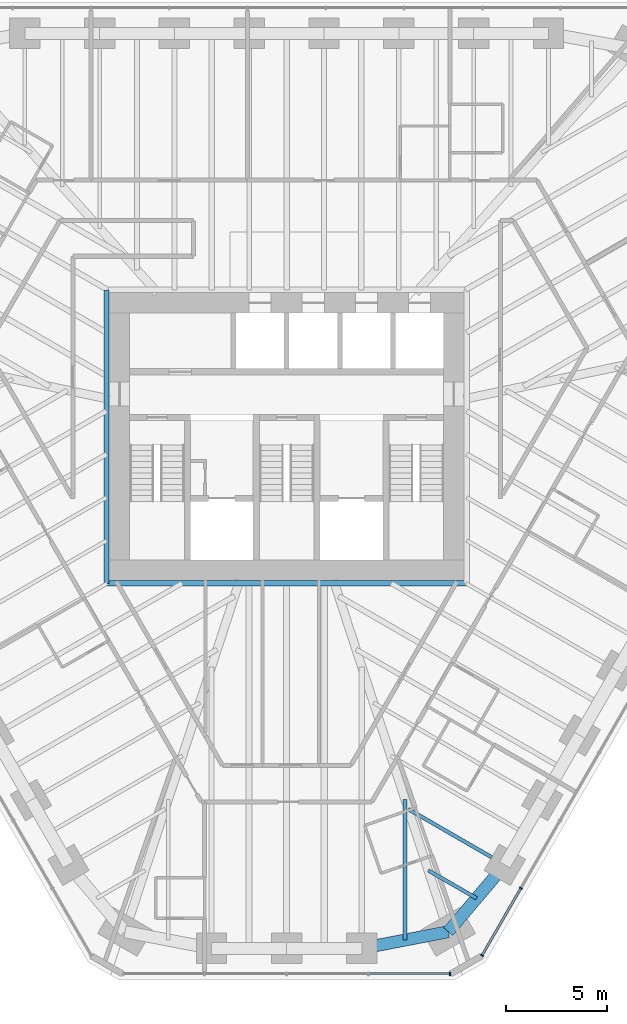
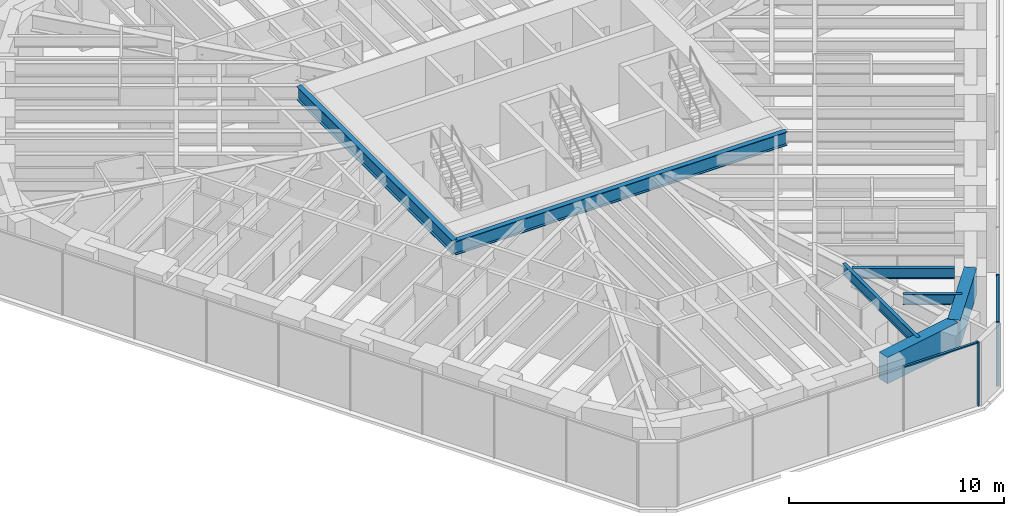
# One storey, part 4 of 16: 7 beams, 5 members, 2 elements without a shape of their own.
"""IFC4 building model written with IfcOpenShell, lengths in metres."""

import ifcopenshell
import ifcopenshell.guid

model = None  # the IFC model being written
_history = None  # IfcOwnerHistory: only IFC2X3 demands one
_inside = {}  # id of a spatial element -> (the spatial element, [elements in it])
_under = {}  # id of a project, library or spatial element -> (it, [spatial elements below it])
_declared = {}  # id of a project -> (the project, [libraries it declares])
_typed = {}  # id of a type object -> (the type object, [elements of that type])
_made_of = {}  # id of a material, layer set ... -> (it, [elements and type objects made of it])


def new_model(schema):
    """Start an empty IFC model of exactly this schema.

    Asked for "IFC4X3", IfcOpenShell would pick the latest addendum, in which some entities
    have other attributes; the version numbers below select the first issue.
    IFC2X3 requires an IfcOwnerHistory on every rooted entity: one is made here for all.
    """
    global model, _history
    if schema == "IFC4X3":
        model = ifcopenshell.file(schema_version=(4, 3, 0, 0))
    else:
        model = ifcopenshell.file(schema=schema)
    _inside.clear()
    _under.clear()
    _declared.clear()
    _typed.clear()
    _made_of.clear()
    _history = None
    if model.schema == "IFC2X3":
        org = make("IfcOrganization", Name="unknown")
        user = make(
            "IfcPersonAndOrganization",
            ThePerson=make("IfcPerson", FamilyName="unknown"),
            TheOrganization=org,
        )
        app = make(
            "IfcApplication",
            ApplicationDeveloper=org,
            Version="unknown",
            ApplicationFullName="unknown",
            ApplicationIdentifier="unknown",
        )
        _history = make(
            "IfcOwnerHistory",
            OwningUser=user,
            OwningApplication=app,
            ChangeAction="ADDED",
            CreationDate=0,
        )
    return model


def make(cls, **values):
    """One entity of the class cls with the attributes given. An attribute that is None is left unset."""
    return model.create_entity(
        cls, **{name: value for name, value in values.items() if value is not None}
    )


def rooted(cls, **values):
    """An entity with a GlobalId (a new one), such as an element, a storey or a relation."""
    return make(cls, GlobalId=ifcopenshell.guid.new(), OwnerHistory=_history, **values)


def si_unit(unit_type, name, prefix=None):
    """IfcSIUnit, for example si_unit("LENGTHUNIT", "METRE", prefix="MILLI")."""
    return make("IfcSIUnit", UnitType=unit_type, Prefix=prefix, Name=name)


def assignment(units):
    """IfcUnitAssignment: the units of a project."""
    return None if units is None else make("IfcUnitAssignment", Units=units)


def point(xyz):
    """IfcCartesianPoint."""
    return None if xyz is None else make("IfcCartesianPoint", Coordinates=xyz)


def direction(xyz):
    """IfcDirection."""
    return None if xyz is None else make("IfcDirection", DirectionRatios=xyz)


def frame(location, z_axis=None, x_axis=None):
    """IfcAxis2Placement3D, a coordinate frame: its origin and axes. An axis left out is left unset."""
    return make(
        "IfcAxis2Placement3D",
        Location=point(location),
        Axis=direction(z_axis),
        RefDirection=direction(x_axis),
    )


def frame_2d(location, x_axis=None):
    """IfcAxis2Placement2D, a coordinate frame in the plane: its origin and x axis."""
    return make(
        "IfcAxis2Placement2D", Location=point(location), RefDirection=direction(x_axis)
    )


def origin():
    """The frame at (0, 0, 0) with its axes left unset."""
    return frame((0.0, 0.0, 0.0))


def origin_2d():
    """The frame at (0, 0) in the plane with its x axis left unset."""
    return frame_2d((0.0, 0.0))


def place(relative_to, where):
    """IfcLocalPlacement: puts the frame where relative to a parent placement (None: the world)."""
    return make(
        "IfcLocalPlacement", PlacementRelTo=relative_to, RelativePlacement=where
    )


def context(
    kind, dimensions, precision=None, world=None, true_north=None, identifier=None
):
    """IfcGeometricRepresentationContext, for example the 3D "Model" context."""
    return make(
        "IfcGeometricRepresentationContext",
        ContextIdentifier=identifier,
        ContextType=kind,
        CoordinateSpaceDimension=dimensions,
        Precision=precision,
        WorldCoordinateSystem=world,
        TrueNorth=true_north,
    )


def subcontext(parent, identifier, kind, view, scale=None):
    """IfcGeometricRepresentationSubContext, for example "Body" below "Model"."""
    return make(
        "IfcGeometricRepresentationSubContext",
        ContextIdentifier=identifier,
        ContextType=kind,
        ParentContext=parent,
        TargetScale=scale,
        TargetView=view,
    )


def project(units=None, contexts=None):
    """IfcProject with its units and contexts."""
    return rooted(
        "IfcProject",
        Name="project",
        RepresentationContexts=contexts,
        UnitsInContext=assignment(units),
    )


def spatial(cls, under=None, at=None, **own):
    """A site, building, storey or space (cls), placed at a placement, below another one or the project."""
    s = rooted(cls, ObjectPlacement=at, **own)
    if under is not None:
        _under.setdefault(under.id(), (under, []))[1].append(s)
    return s


def profile(cls, at=None, kind="AREA", **sizes):
    """A parametric profile (cls). Its sizes go by their IFC names, for example OverallWidth=200.0."""
    return make(cls, ProfileType=kind, Position=at, **sizes)


def rectangle(**sizes):
    """IfcRectangleProfileDef."""
    return profile("IfcRectangleProfileDef", **sizes)


def i_section(**sizes):
    """IfcIShapeProfileDef."""
    return profile("IfcIShapeProfileDef", **sizes)


def extrude(swept, where, along, depth):
    """IfcExtrudedAreaSolid: the profile swept, set in the frame where, extruded along a direction by depth."""
    return make(
        "IfcExtrudedAreaSolid",
        SweptArea=swept,
        Position=where,
        ExtrudedDirection=direction(along),
        Depth=depth,
    )


def shape(context_of_items, identifier, shape_type, items):
    """IfcShapeRepresentation: the items that make up one representation, for example the "Body"."""
    return make(
        "IfcShapeRepresentation",
        ContextOfItems=context_of_items,
        RepresentationIdentifier=identifier,
        RepresentationType=shape_type,
        Items=items,
    )


def material(Name=None, Category=None):
    """IfcMaterial."""
    return make("IfcMaterial", Name=Name, Category=Category)


def material_profile(
    of_material, cross_section, Name=None, Category=None, Priority=None
):
    """IfcMaterialProfile: a cross section and its material."""
    return make(
        "IfcMaterialProfile",
        Name=Name,
        Material=of_material,
        Profile=cross_section,
        Priority=Priority,
        Category=Category,
    )


def profile_set(profiles, Name=None, composite=None):
    """IfcMaterialProfileSet."""
    return make(
        "IfcMaterialProfileSet",
        Name=Name,
        MaterialProfiles=profiles,
        CompositeProfile=composite,
    )


def made_of(thing, what):
    """Note that an element or type object is made of a material, layer set ...; save() writes the relation."""
    if what is not None:
        _made_of.setdefault(what.id(), (what, []))[1].append(thing)
    return thing


def type_object(cls, material=None, **own):
    """A type object (cls), such as IfcWallType, which elements share."""
    return made_of(rooted(cls, **own), material)


def element(
    cls,
    number,
    at=None,
    inside=None,
    cuts=None,
    type_object=None,
    material=None,
    context=None,
    identifier="Body",
    shape_type=None,
    held_by="IfcProductDefinitionShape",
    body=None,
    shapes=None,
    **own,
):
    """One element of the class cls, such as IfcWall. Its Tag is "e" and its number.

    at: its placement. inside: the storey or other place that contains it. cuts: it is an
    opening in that element (IfcRelVoidsElement). A single representation is given by context,
    identifier, shape_type and body (its items); several are given by shapes. held_by: the class
    of the entity that holds the representations. save() writes the other relations.
    """
    e = rooted(cls, Tag="e%d" % number, ObjectPlacement=at, **own)
    if body is not None:
        shapes = [shape(context, identifier, shape_type, body)]
    if shapes is not None:
        e.Representation = make(held_by, Representations=shapes)
    if inside is not None:
        _inside.setdefault(inside.id(), (inside, []))[1].append(e)
    if cuts is not None:
        rooted(
            "IfcRelVoidsElement", RelatingBuildingElement=cuts, RelatedOpeningElement=e
        )
    if type_object is not None:
        _typed.setdefault(type_object.id(), (type_object, []))[1].append(e)
    return made_of(e, material)


def aggregate(whole, parts):
    """IfcRelAggregates: a whole, such as a stair, and the parts it consists of."""
    return rooted("IfcRelAggregates", RelatingObject=whole, RelatedObjects=parts)


def save(model, path):
    """Write the relations noted so far, then the file.

    IfcRelAggregates (storeys below a building ...), IfcRelContainedInSpatialStructure (elements
    in a storey), IfcRelDefinesByType, IfcRelAssociatesMaterial and IfcRelDeclares: one each for
    every whole, place, type object, material and project.
    """
    for whole, parts in _under.values():
        aggregate(whole, parts)
    for where, things in _inside.values():
        rooted(
            "IfcRelContainedInSpatialStructure",
            RelatedElements=things,
            RelatingStructure=where,
        )
    for kind, things in _typed.values():
        rooted("IfcRelDefinesByType", RelatedObjects=things, RelatingType=kind)
    for what, things in _made_of.values():
        rooted("IfcRelAssociatesMaterial", RelatedObjects=things, RelatingMaterial=what)
    for by, libraries in _declared.values():
        rooted("IfcRelDeclares", RelatingContext=by, RelatedDefinitions=libraries)
    model.write(path)


model = new_model("IFC4")

# Units and contexts
model_context = context("Model", 3, precision=1e-05, world=origin(), true_north=direction((0.0, 1.0)))
body_context = subcontext(model_context, "Body", "Model", "MODEL_VIEW")
ifc_project = project(units=[si_unit("LENGTHUNIT", "METRE"), si_unit("AREAUNIT", "SQUARE_METRE"), si_unit("VOLUMEUNIT", "CUBIC_METRE"), si_unit("PLANEANGLEUNIT", "RADIAN"), si_unit("MASSUNIT", "GRAM", prefix="KILO")], contexts=[model_context])

# Site, building, storey
site_placement = place(None, origin())
site = spatial("IfcSite", under=ifc_project, at=site_placement, CompositionType="ELEMENT")
building_placement = place(site_placement, origin())
building = spatial("IfcBuilding", under=site, at=building_placement, Name="Sandreach Pilgrim Tower", CompositionType="ELEMENT")
storey_placement = place(building_placement, frame((0.0, 0.0, 228.800048828125)))
storey = spatial("IfcBuildingStorey", under=building, at=storey_placement, Name="L57", CompositionType="ELEMENT", Elevation=228.800048828125)

# Curtain wall, members
ifc_material_1 = material(Name="Aluminium framed curtain wall", Category="aluminium")
curtain_wall_type = type_object("IfcCurtainWallType", Name="Upper hotel tower curtain wall", PredefinedType="NOTDEFINED", material=ifc_material_1)
curtain_wall_1_placement = place(storey_placement, origin())
curtain_wall_1 = element("IfcCurtainWall", 1, at=curtain_wall_1_placement, inside=storey, type_object=curtain_wall_type, Name="CW-3 L57 SE", PredefinedType="NOTDEFINED")
ifc_material_2 = material(Name="Aluminium extrusion", Category="aluminium")
ifc_material_profile_1 = material_profile(ifc_material_2, rectangle(XDim=0.06494140625, YDim=0.159912109375, at=origin_2d()), Name="CW-3M 65X160")
ifc_profile_set_1 = profile_set([ifc_material_profile_1], Name="Aluminium extrusion")
member_type_1 = type_object("IfcMemberType", Name="CW-3 mullion", PredefinedType="MULLION", material=ifc_profile_set_1)
member_1_placement = place(storey_placement, frame((11.5625, -22.29345703125, 0.0), z_axis=(0.0, 0.0, 1.0), x_axis=(-0.5, -0.866025403784, 0.0)))
member_1 = element("IfcMember", 2, at=member_1_placement, type_object=member_type_1, Name="CW-3 mullion 9", PredefinedType="MULLION", context=body_context, shape_type="SweptSolid", body=[
    extrude(rectangle(XDim=0.06494140625, YDim=0.159912109375, at=origin_2d()), origin(), (0.0, 0.0, 1.0), 3.639892578125),
])
member_2_placement = place(storey_placement, frame((9.646484375, -25.612060546875, 0.0), z_axis=(0.0, 0.0, 1.0), x_axis=(-0.5, -0.866025403784, 0.0)))
member_2 = element("IfcMember", 3, at=member_2_placement, type_object=member_type_1, Name="CW-3 mullion 10", PredefinedType="MULLION", context=body_context, shape_type="SweptSolid", body=[
    extrude(rectangle(XDim=0.06494140625, YDim=0.159912109375, at=origin_2d()), origin(), (0.0, 0.0, 1.0), 3.639892578125),
])

# Curtain wall, member
curtain_wall_2_placement = place(storey_placement, origin())
curtain_wall_2 = element("IfcCurtainWall", 4, at=curtain_wall_2_placement, inside=storey, type_object=curtain_wall_type, Name="CW-3 L57 S", PredefinedType="NOTDEFINED")
member_3_placement = place(storey_placement, frame((8.06494140625, -26.525146484375, 0.0), z_axis=(0.0, 0.0, 1.0), x_axis=(-1.0, 0.0, 0.0)))
member_3 = element("IfcMember", 5, at=member_3_placement, type_object=member_type_1, Name="CW-3 mullion 1", PredefinedType="MULLION", context=body_context, shape_type="SweptSolid", body=[
    extrude(rectangle(XDim=0.06494140625, YDim=0.159912109375, at=origin_2d()), origin(), (0.0, 0.0, 1.0), 3.639892578125),
])

# Member
ifc_material_3 = material(Name="Aluminium extrusion", Category="aluminium")
ifc_material_profile_2 = material_profile(ifc_material_3, rectangle(XDim=0.1201171875, YDim=0.070068359375, at=origin_2d()), Name="CW-3T 120X70")
ifc_profile_set_2 = profile_set([ifc_material_profile_2], Name="Aluminium extrusion")
member_type_2 = type_object("IfcMemberType", Name="CW-3 transom", PredefinedType="USERDEFINED", material=ifc_profile_set_2)
member_4_placement = place(storey_placement, frame((11.546142578125, -22.321533203125, 3.60498046875), z_axis=(-0.499973055223, -0.8660409598, 0.0), x_axis=(0.8660409598, -0.499973055223, 0.0)))
member_4 = element("IfcMember", 6, at=member_4_placement, type_object=member_type_2, Name="CW-3 head transom 9", ObjectType="TRANSOM", PredefinedType="USERDEFINED", context=body_context, shape_type="SweptSolid", body=[
    extrude(rectangle(XDim=0.1201171875, YDim=0.070068359375, at=origin_2d()), origin(), (0.0, 0.0, 1.0), 3.766845703125),
])

aggregate(curtain_wall_1, [member_1, member_2, member_4])

member_5_placement = place(storey_placement, frame((8.032470703125, -26.525146484375, 3.60498046875), z_axis=(-1.0, 0.0, 0.0), x_axis=(0.0, -1.0, 0.0)))
member_5 = element("IfcMember", 7, at=member_5_placement, type_object=member_type_2, Name="CW-3 head transom 1", ObjectType="TRANSOM", PredefinedType="USERDEFINED", context=body_context, shape_type="SweptSolid", body=[
    extrude(rectangle(XDim=0.1201171875, YDim=0.070068359375, at=origin_2d()), origin(), (0.0, 0.0, 1.0), 3.951171875),
])

aggregate(curtain_wall_2, [member_3, member_5])

# Beams
ifc_material_4 = material(Name="Steel ASTM A992 Grade 50", Category="steel")
ifc_material_profile_3 = material_profile(ifc_material_4, i_section(OverallWidth=0.2666015625, OverallDepth=0.77978515625, WebThickness=0.0166015625, FlangeThickness=0.030029296875, at=origin_2d()), Name="W30X148")
ifc_profile_set_3 = profile_set([ifc_material_profile_3], Name="Steel ASTM A992 Grade 50")
beam_type_1 = type_object("IfcBeamType", Name="Core edge beam W30X148", PredefinedType="BEAM", material=ifc_profile_set_3)
beam_1_placement = place(storey_placement, frame((8.893310546875, -7.243408203125, 3.25), z_axis=(-1.0, 0.0, 0.0), x_axis=(0.0, -1.0, 0.0)))
element("IfcBeam", 8, at=beam_1_placement, inside=storey, type_object=beam_type_1, Name="BM L57 CES", PredefinedType="BEAM", context=body_context, shape_type="SweptSolid", body=[
    extrude(i_section(OverallWidth=0.2666015625, OverallDepth=0.77978515625, WebThickness=0.0166015625, FlangeThickness=0.030029296875, at=origin_2d()), origin(), (0.0, 0.0, 1.0), 17.78662109375),
])
beam_2_placement = place(storey_placement, frame((-8.893310546875, -7.243408203125, 3.25), z_axis=(0.0, 1.0, 0.0), x_axis=(-1.0, 0.0, 0.0)))
element("IfcBeam", 9, at=beam_2_placement, inside=storey, type_object=beam_type_1, Name="BM L57 CEW", PredefinedType="BEAM", context=body_context, shape_type="SweptSolid", body=[
    extrude(i_section(OverallWidth=0.2666015625, OverallDepth=0.77978515625, WebThickness=0.0166015625, FlangeThickness=0.030029296875, at=origin_2d()), origin(), (0.0, 0.0, 1.0), 14.48681640625),
])
ifc_material_5 = material(Name="Steel ASTM A992 Grade 50", Category="steel")
ifc_material_profile_4 = material_profile(ifc_material_5, i_section(OverallWidth=0.1787109375, OverallDepth=0.60205078125, WebThickness=0.010986328125, FlangeThickness=0.014892578125, at=origin_2d()), Name="W24X62")
ifc_profile_set_4 = profile_set([ifc_material_profile_4], Name="Steel ASTM A992 Grade 50")
beam_type_2 = type_object("IfcBeamType", Name="Floor beam W24X62", PredefinedType="BEAM", material=ifc_profile_set_4)
beam_3_placement = place(storey_placement, frame((10.12255859375, -20.767333984375, 3.3388671875), z_axis=(-0.86603347311, 0.499986023258, 0.0), x_axis=(-0.499986023258, -0.86603347311, 0.0)))
element("IfcBeam", 10, at=beam_3_placement, inside=storey, type_object=beam_type_2, Name="BM L57 F21", PredefinedType="BEAM", context=body_context, shape_type="SweptSolid", body=[
    extrude(i_section(OverallWidth=0.1787109375, OverallDepth=0.60205078125, WebThickness=0.010986328125, FlangeThickness=0.014892578125, at=origin_2d()), origin(), (0.0, 0.0, 1.0), 4.757568359375),
])
beam_4_placement = place(storey_placement, frame((9.375244140625, -22.7919921875, 3.3388671875), z_axis=(-0.866046803606, 0.49996293259, 0.0), x_axis=(-0.49996293259, -0.866046803606, 0.0)))
element("IfcBeam", 11, at=beam_4_placement, inside=storey, type_object=beam_type_2, Name="BM L57 FM21", PredefinedType="BEAM", context=body_context, shape_type="SweptSolid", body=[
    extrude(i_section(OverallWidth=0.1787109375, OverallDepth=0.60205078125, WebThickness=0.010986328125, FlangeThickness=0.014892578125, at=origin_2d()), origin(), (0.0, 0.0, 1.0), 2.753662109375),
])
beam_5_placement = place(storey_placement, frame((5.844482421875, -24.853515625, 3.3388671875), z_axis=(0.0, 1.0, 0.0), x_axis=(-1.0, 0.0, 0.0)))
element("IfcBeam", 12, at=beam_5_placement, inside=storey, type_object=beam_type_2, Name="BM L57 FM22", PredefinedType="BEAM", context=body_context, shape_type="SweptSolid", body=[
    extrude(i_section(OverallWidth=0.1787109375, OverallDepth=0.60205078125, WebThickness=0.010986328125, FlangeThickness=0.014892578125, at=origin_2d()), origin(), (0.0, 0.0, 1.0), 6.94921875),
])
ifc_material_6 = material(Name="Concrete 10000 psi", Category="concrete")
ifc_material_profile_5 = material_profile(ifc_material_6, rectangle(XDim=0.60009765625, YDim=1.5, at=origin_2d()), Name="RC600X1500")
ifc_profile_set_5 = profile_set([ifc_material_profile_5], Name="Concrete 10000 psi")
beam_type_3 = type_object("IfcBeamType", Name="Spandrel beam RC600X1500", PredefinedType="SPANDREL", material=ifc_profile_set_5)
beam_6_placement = place(storey_placement, frame((10.772216796875, -21.142333984375, 2.889892578125), z_axis=(-0.646180160755, -0.76318490541, 0.0), x_axis=(0.76318490541, -0.646180160755, 0.0)))
element("IfcBeam", 13, at=beam_6_placement, inside=storey, type_object=beam_type_3, Name="BM L57 SP21", PredefinedType="SPANDREL", context=body_context, shape_type="SweptSolid", body=[
    extrude(rectangle(XDim=0.60009765625, YDim=1.5, at=origin_2d()), origin(), (0.0, 0.0, 1.0), 4.323486328125),
])
beam_7_placement = place(storey_placement, frame((7.978515625, -24.44189453125, 2.889892578125), z_axis=(-0.981901333807, -0.18939316426, 0.0), x_axis=(0.18939316426, -0.981901333807, 0.0)))
element("IfcBeam", 14, at=beam_7_placement, inside=storey, type_object=beam_type_3, Name="BM L57 SP22", PredefinedType="SPANDREL", context=body_context, shape_type="SweptSolid", body=[
    extrude(rectangle(XDim=0.60009765625, YDim=1.5, at=origin_2d()), origin(), (0.0, 0.0, 1.0), 4.3466796875),
])

save(model, "model.ifc")
